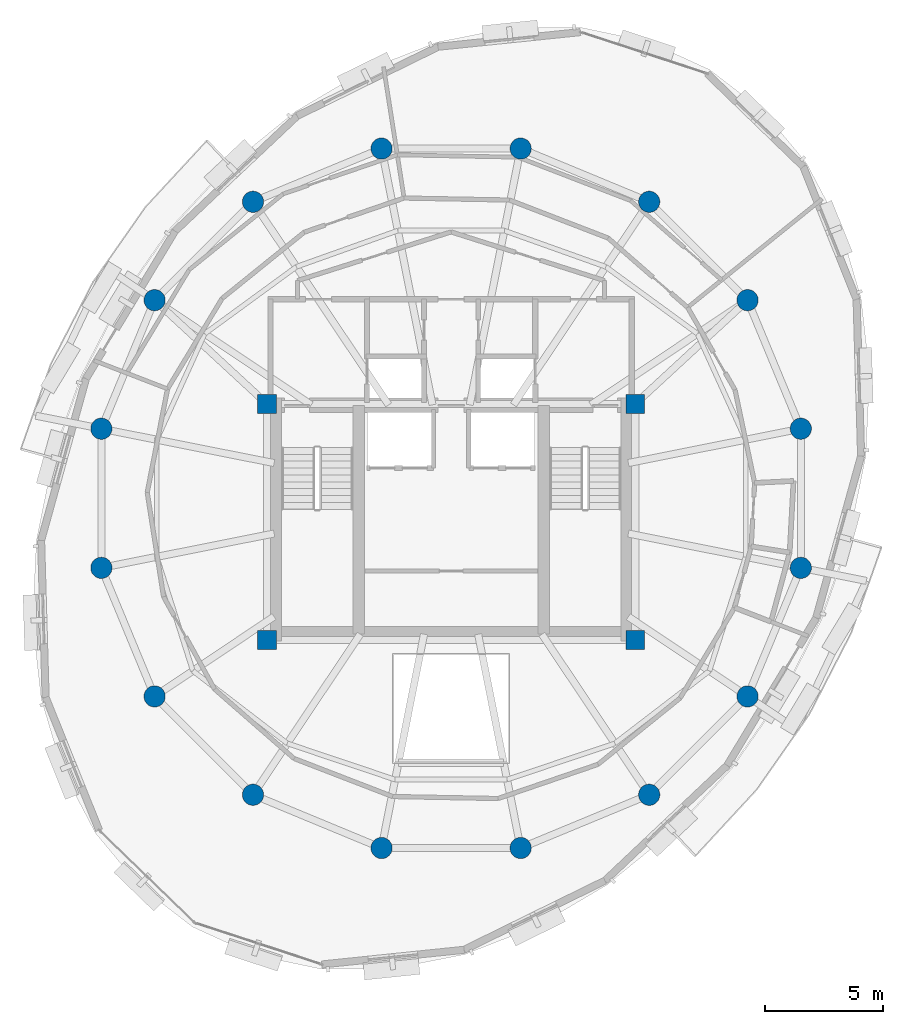
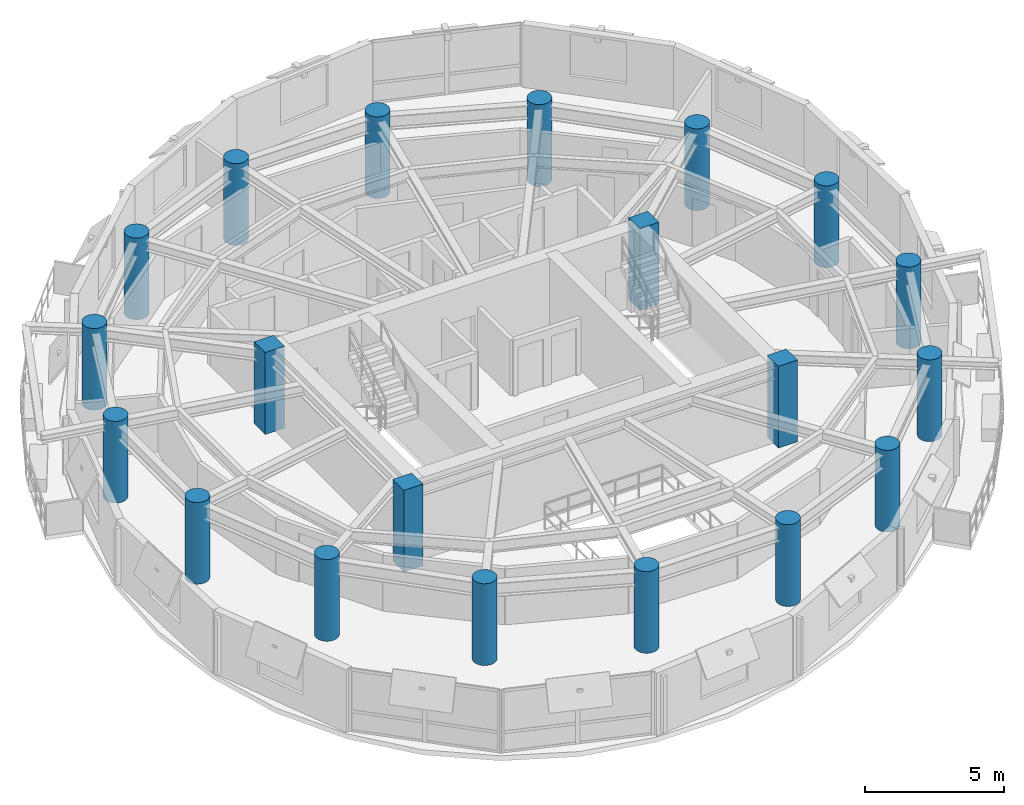
# One storey, part 1 of 11: 20 columns.
"""IFC4 building model written with IfcOpenShell, lengths in metres."""

from ifc_helpers import new_model, si_unit, direction, frame, origin, origin_2d, place, context, subcontext, project, spatial, rectangle, circle, extrude, material, material_profile, profile_set, type_object, element, save


model = new_model("IFC4")

# Units and contexts
model_context = context("Model", 3, precision=1e-05, world=origin(), true_north=direction((0.0, 1.0)))
body_context = subcontext(model_context, "Body", "Model", "MODEL_VIEW")
ifc_project = project(units=[si_unit("LENGTHUNIT", "METRE"), si_unit("AREAUNIT", "SQUARE_METRE"), si_unit("VOLUMEUNIT", "CUBIC_METRE"), si_unit("PLANEANGLEUNIT", "RADIAN"), si_unit("MASSUNIT", "GRAM", prefix="KILO"), si_unit("THERMODYNAMICTEMPERATUREUNIT", "KELVIN"), si_unit("POWERUNIT", "WATT")], contexts=[model_context])

# Site, building, storey
site_placement = place(None, origin())
site = spatial("IfcSite", under=ifc_project, at=site_placement, CompositionType="ELEMENT")
building_placement = place(site_placement, origin())
building = spatial("IfcBuilding", under=site, at=building_placement, Name="Ocrelia Relay Tower", CompositionType="ELEMENT")
storey_placement = place(building_placement, frame((0.0, 0.0, 273.60009765625)))
storey = spatial("IfcBuildingStorey", under=building, at=storey_placement, Name="L68", CompositionType="ELEMENT", Elevation=273.60009765625)

# Columns
ifc_material_1 = material(Name="Concrete C50/60", Category="concrete")
ifc_material_profile_1 = material_profile(ifc_material_1, circle(Radius=0.449951171875, at=origin_2d()), Name="RC-CIR-900")
ifc_profile_set_1 = profile_set([ifc_material_profile_1], Name="Concrete C50/60")
column_type_1 = type_object("IfcColumnType", Name="COL-CT-900", PredefinedType="COLUMN", material=ifc_profile_set_1)
for number, where, z_axis, x_axis, name in (
    (1, (48.809814453125, 28.94580078125, 0.0), (0.0, 0.0, 1.0), (1.0, 0.0, 0.0), "L68 Perimeter Ring Column C01"),
    (2, (46.55517578125, 34.38916015625, 0.0), (0.0, 0.0, 1.0), (1.0, 0.0, 0.0), "L68 Perimeter Ring Column C02"),
    (3, (42.38916015625, 38.55517578125, 0.0), (0.0, 0.0, 1.0), (1.0, 0.0, 0.0), "L68 Perimeter Ring Column C03"),
    (4, (36.94580078125, 40.809814453125, 0.0), (0.0, 0.0, 1.0), (1.0, 0.0, 0.0), "L68 Perimeter Ring Column C04"),
    (5, (31.05419921875, 40.809814453125, 0.0), (0.0, 0.0, 1.0), (1.0, 0.0, 0.0), "L68 Perimeter Ring Column C05"),
    (6, (25.61083984375, 38.55517578125, 0.0), (0.0, 0.0, 1.0), (1.0, 0.0, 0.0), "L68 Perimeter Ring Column C06"),
    (7, (21.44482421875, 34.38916015625, 0.0), (0.0, 0.0, 1.0), (1.0, 0.0, 0.0), "L68 Perimeter Ring Column C07"),
    (8, (19.190185546875, 28.94580078125, 0.0), (0.0, 0.0, 1.0), (1.0, 0.0, 0.0), "L68 Perimeter Ring Column C08"),
    (9, (19.190185546875, 23.05419921875, 0.0), (0.0, 0.0, 1.0), (1.0, 0.0, 0.0), "L68 Perimeter Ring Column C09"),
    (10, (21.44482421875, 17.61083984375, 0.0), (0.0, 0.0, 1.0), (1.0, 0.0, 0.0), "L68 Perimeter Ring Column C10"),
    (11, (25.61083984375, 13.44482421875, 0.0), (0.0, 0.0, 1.0), (1.0, 0.0, 0.0), "L68 Perimeter Ring Column C11"),
    (12, (31.05419921875, 11.190185546875, 0.0), (0.0, 0.0, 1.0), (1.0, 0.0, 0.0), "L68 Perimeter Ring Column C12"),
    (13, (36.94580078125, 11.190185546875, 0.0), (0.0, 0.0, 1.0), (1.0, 0.0, 0.0), "L68 Perimeter Ring Column C13"),
    (14, (42.38916015625, 13.44482421875, 0.0), (0.0, 0.0, 1.0), (1.0, 0.0, 0.0), "L68 Perimeter Ring Column C14"),
    (15, (46.55517578125, 17.61083984375, 0.0), (0.0, 0.0, 1.0), (1.0, 0.0, 0.0), "L68 Perimeter Ring Column C15"),
    (16, (48.809814453125, 23.05419921875, 0.0), (0.0, 0.0, 1.0), (1.0, 0.0, 0.0), "L68 Perimeter Ring Column C16"),
):
    element("IfcColumn", number, at=place(storey_placement, frame(where, z_axis=z_axis, x_axis=x_axis)), inside=storey, type_object=column_type_1, Name=name, PredefinedType="COLUMN", context=body_context, shape_type="SweptSolid", body=[
        extrude(circle(Radius=0.449951171875, at=origin_2d()), origin(), (0.0, 0.0, 1.0), 3.599853515625),
    ])
ifc_material_2 = material(Name="Concrete C60/75", Category="concrete")
ifc_material_profile_2 = material_profile(ifc_material_2, rectangle(XDim=0.800048828125, YDim=0.800048828125, at=origin_2d()), Name="RC-COL-800x800")
ifc_profile_set_2 = profile_set([ifc_material_profile_2], Name="Concrete C60/75")
column_type_2 = type_object("IfcColumnType", Name="COL-PILASTER-800", PredefinedType="PILASTER", material=ifc_profile_set_2)
for number, where, z_axis, x_axis, name in (
    (17, (26.199951171875, 20.0, 0.0), (0.0, 0.0, 1.0), (1.0, 0.0, 0.0), "L68 Core Corner Pilaster SW"),
    (18, (41.800048828125, 20.0, 0.0), (0.0, 0.0, 1.0), (1.0, 0.0, 0.0), "L68 Core Corner Pilaster SE"),
    (19, (26.199951171875, 30.0, 0.0), (0.0, 0.0, 1.0), (1.0, 0.0, 0.0), "L68 Core Corner Pilaster NW"),
    (20, (41.800048828125, 30.0, 0.0), (0.0, 0.0, 1.0), (1.0, 0.0, 0.0), "L68 Core Corner Pilaster NE"),
):
    element("IfcColumn", number, at=place(storey_placement, frame(where, z_axis=z_axis, x_axis=x_axis)), inside=storey, type_object=column_type_2, Name=name, PredefinedType="PILASTER", context=body_context, shape_type="SweptSolid", body=[
        extrude(rectangle(XDim=0.800048828125, YDim=0.800048828125, at=origin_2d()), origin(), (0.0, 0.0, 1.0), 3.599853515625),
    ])

save(model, "model.ifc")
